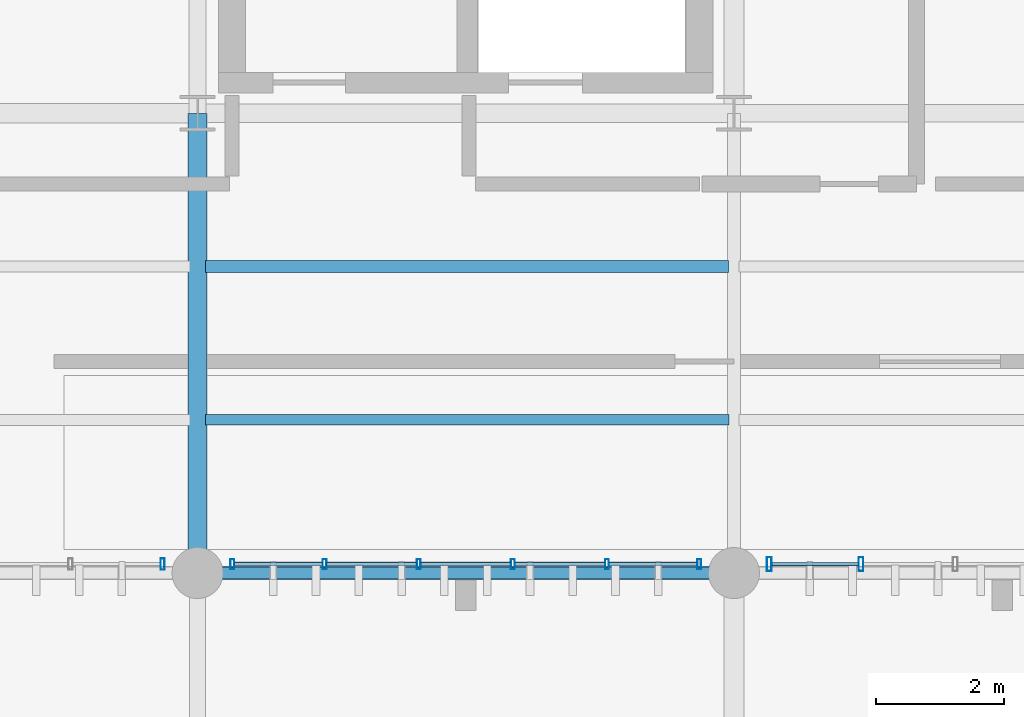
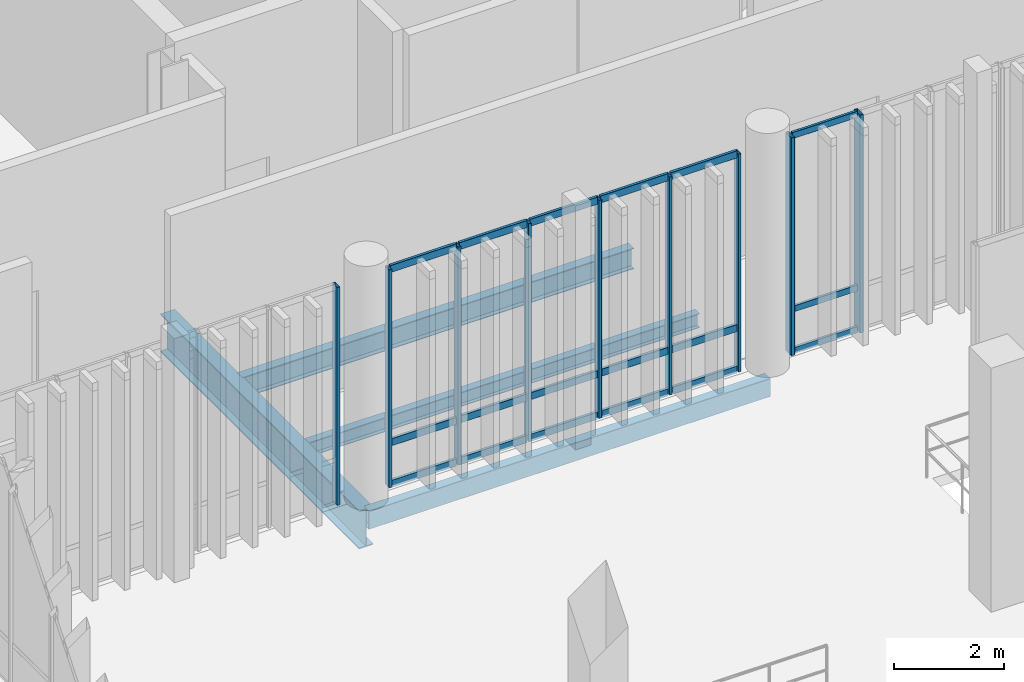
# One storey, part 39 of 128: 27 members, 4 beams, 3 elements without a shape of their own.
"""IFC4 building model written with IfcOpenShell, lengths in metres."""

from ifc_helpers import new_model, si_unit, direction, frame, origin_with_axes, origin_2d_with_axis, place, context, subcontext, project, spatial, hollow_rectangle, i_section, extrude, material, material_profile, profile_set, type_object, element, aggregate, save


model = new_model("IFC4")

# Units and contexts
model_context = context("Model", 3, precision=1e-05, world=origin_with_axes(), true_north=direction((0.0, 1.0)))
body_context = subcontext(model_context, "Body", "Model", "MODEL_VIEW")
ifc_project = project(units=[si_unit("LENGTHUNIT", "METRE"), si_unit("AREAUNIT", "SQUARE_METRE"), si_unit("VOLUMEUNIT", "CUBIC_METRE"), si_unit("PLANEANGLEUNIT", "RADIAN"), si_unit("MASSUNIT", "GRAM", prefix="KILO"), si_unit("THERMODYNAMICTEMPERATUREUNIT", "KELVIN")], contexts=[model_context])

# Site, building, storey
site_placement = place(None, origin_with_axes())
site = spatial("IfcSite", under=ifc_project, at=site_placement, CompositionType="ELEMENT")
building_placement = place(site_placement, origin_with_axes())
building = spatial("IfcBuilding", under=site, at=building_placement, Name="Montbau Bow Law Courts", CompositionType="ELEMENT")
storey_placement = place(building_placement, frame((0.0, 0.0, 5.4), z_axis=(0.0, 0.0, 1.0), x_axis=(1.0, 0.0, 0.0)))
storey = spatial("IfcBuildingStorey", under=building, at=storey_placement, Name="L01", CompositionType="ELEMENT", Elevation=5.4)

# Beams
ifc_material_1 = material(Name="Steel CSA G40.21 Grade 350W (350 MPa)", Category="steel")
ifc_material_profile_1 = material_profile(ifc_material_1, i_section(OverallWidth=0.293, OverallDepth=0.846, WebThickness=0.0154, FlangeThickness=0.0244, at=origin_2d_with_axis()), Name="W840X210", Category="Main", Priority=0)
ifc_profile_set_1 = profile_set([ifc_material_profile_1], Name="Steel CSA G40.21 Grade 350W (350 MPa)")
beam_type_1 = type_object("IfcBeamType", Name="B-FLR-02", PredefinedType="BEAM", material=ifc_profile_set_1)
beam_1_placement = place(None, frame((55.2, 39.0, 4.737), z_axis=(0.0, 1.0, 0.0), x_axis=(-1.0, 0.0, 0.0)))
element("IfcBeam", 1, at=beam_1_placement, inside=storey, type_object=beam_type_1, Name="BM-L01-S0823:bm2_0826", PredefinedType="BEAM", context=body_context, shape_type="SweptSolid", body=[
    extrude(i_section(OverallWidth=0.293, OverallDepth=0.846, WebThickness=0.0154, FlangeThickness=0.0244, at=origin_2d_with_axis()), origin_with_axes(), (0.0, 0.0, 1.0), 7.2),
])
ifc_material_profile_2 = material_profile(ifc_material_1, i_section(OverallWidth=0.191, OverallDepth=0.46, WebThickness=0.0099, FlangeThickness=0.016, at=origin_2d_with_axis()), Name="W460X82", Category="Main", Priority=0)
ifc_profile_set_2 = profile_set([ifc_material_profile_2], Name="Steel CSA G40.21 Grade 350W (350 MPa)")
beam_type_2 = type_object("IfcBeamType", Name="B-JST-01", PredefinedType="JOIST", material=ifc_profile_set_2)
beam_2_placement = place(None, frame((55.323, 43.8, 4.93), z_axis=(1.0, 0.0, 0.0), x_axis=(0.0, 1.0, 0.0)))
element("IfcBeam", 2, at=beam_2_placement, inside=storey, type_object=beam_type_2, Name="JST-L01-S0420:jst2_0420", PredefinedType="JOIST", context=body_context, shape_type="SweptSolid", body=[
    extrude(i_section(OverallWidth=0.191, OverallDepth=0.46, WebThickness=0.0099, FlangeThickness=0.016, at=origin_2d_with_axis()), origin_with_axes(), (0.0, 0.0, 1.0), 8.196),
])
ifc_material_profile_3 = material_profile(ifc_material_1, i_section(OverallWidth=0.166, OverallDepth=0.313, WebThickness=0.0066, FlangeThickness=0.0112, at=origin_2d_with_axis()), Name="W310X45", Category="Main", Priority=0)
ifc_profile_set_3 = profile_set([ifc_material_profile_3], Name="Steel CSA G40.21 Grade 350W (350 MPa)")
beam_type_3 = type_object("IfcBeamType", Name="B-JST-04", PredefinedType="JOIST", material=ifc_profile_set_3)
beam_3_placement = place(None, frame((55.323, 41.4, 5.003), z_axis=(1.0, 0.0, 0.0), x_axis=(0.0, 1.0, 0.0)))
element("IfcBeam", 3, at=beam_3_placement, inside=storey, type_object=beam_type_3, Name="JST-L01-S0419:jst2_0419", PredefinedType="JOIST", context=body_context, shape_type="SweptSolid", body=[
    extrude(i_section(OverallWidth=0.166, OverallDepth=0.313, WebThickness=0.0066, FlangeThickness=0.0112, at=origin_2d_with_axis()), origin_with_axes(), (0.0, 0.0, 1.0), 8.196),
])
ifc_material_2 = material(Name="Steel CSA G40.21 Grade 350WT (350 MPa)", Category="steel")
ifc_material_profile_4 = material_profile(ifc_material_2, hollow_rectangle(XDim=0.203, YDim=0.406, WallThickness=0.0127, InnerFilletRadius=0.0254, OuterFilletRadius=0.0127, at=origin_2d_with_axis()), Name="HSS406X203X13", Category="Main", Priority=0)
ifc_profile_set_4 = profile_set([ifc_material_profile_4], Name="Steel CSA G40.21 Grade 350WT (350 MPa)")
beam_type_4 = type_object("IfcBeamType", Name="B-SPN-01", PredefinedType="SPANDREL", material=ifc_profile_set_4)
beam_4_placement = place(None, frame((55.2, 39.0, 4.957), z_axis=(1.0, 0.0, 0.0), x_axis=(0.0, 1.0, 0.0)))
element("IfcBeam", 4, at=beam_4_placement, inside=storey, type_object=beam_type_4, Name="SPN-L01-S0799:bm2_0802", PredefinedType="SPANDREL", context=body_context, shape_type="SweptSolid", body=[
    extrude(hollow_rectangle(XDim=0.203, YDim=0.406, WallThickness=0.0127, InnerFilletRadius=0.0254, OuterFilletRadius=0.0127, at=origin_2d_with_axis()), origin_with_axes(), (0.0, 0.0, 1.0), 8.4),
])

# Curtain wall, members
ifc_material_3 = material(Name="Thermally Broken Extruded Aluminium AA 6063-T6", Category="aluminium")
curtain_wall_type = type_object("IfcCurtainWallType", Name="CW-CRM-01", PredefinedType="NOTDEFINED", material=ifc_material_3)
curtain_wall_1_placement = place(None, frame((64.115, 39.14, 5.4), z_axis=(0.0, 0.0, 1.0), x_axis=(1.0, 0.0, 0.0)))
curtain_wall_1 = element("IfcCurtainWall", 5, at=curtain_wall_1_placement, inside=storey, type_object=curtain_wall_type, Name="CW-L01-141:cw_0141", PredefinedType="NOTDEFINED")
ifc_material_profile_5 = material_profile(ifc_material_3, hollow_rectangle(XDim=0.075, YDim=0.22, WallThickness=0.005, InnerFilletRadius=0.01, OuterFilletRadius=0.005, at=origin_2d_with_axis()), Name="CWM-220X75", Category="Main", Priority=0)
ifc_profile_set_5 = profile_set([ifc_material_profile_5], Name="Thermally Broken Extruded Aluminium AA 6063-T6")
member_type_1 = type_object("IfcMemberType", Name="M-MUL-01", PredefinedType="MULLION", material=ifc_profile_set_5)
member_1_placement = place(None, frame((64.152, 39.14, 5.4), z_axis=(0.0, 0.0, 1.0), x_axis=(1.0, 0.0, 0.0)))
member_1 = element("IfcMember", 6, at=member_1_placement, type_object=member_type_1, Name="CW-L01-141-M01:cw_0141_M01", PredefinedType="MULLION", context=body_context, shape_type="SweptSolid", body=[
    extrude(hollow_rectangle(XDim=0.075, YDim=0.22, WallThickness=0.005, InnerFilletRadius=0.01, OuterFilletRadius=0.005, at=origin_2d_with_axis()), origin_with_axes(), (0.0, 0.0, 1.0), 4.82),
])
member_2_placement = place(None, frame((65.589, 39.14, 5.4), z_axis=(0.0, 0.0, 1.0), x_axis=(1.0, 0.0, 0.0)))
member_2 = element("IfcMember", 7, at=member_2_placement, type_object=member_type_1, Name="CW-L01-141-M02:cw_0141_M02", PredefinedType="MULLION", context=body_context, shape_type="SweptSolid", body=[
    extrude(hollow_rectangle(XDim=0.075, YDim=0.22, WallThickness=0.005, InnerFilletRadius=0.01, OuterFilletRadius=0.005, at=origin_2d_with_axis()), origin_with_axes(), (0.0, 0.0, 1.0), 4.82),
])

# Curtain wall, member
curtain_wall_2_placement = place(None, frame((47.315, 39.14, 5.4), z_axis=(0.0, 0.0, 1.0), x_axis=(1.0, 0.0, 0.0)))
curtain_wall_2 = element("IfcCurtainWall", 8, at=curtain_wall_2_placement, inside=storey, type_object=curtain_wall_type, Name="CW-L01-139:cw_0139", PredefinedType="NOTDEFINED")
ifc_material_profile_6 = material_profile(ifc_material_3, hollow_rectangle(XDim=0.065, YDim=0.18, WallThickness=0.005, InnerFilletRadius=0.01, OuterFilletRadius=0.005, at=origin_2d_with_axis()), Name="CWM-180X65", Category="Main", Priority=0)
ifc_profile_set_6 = profile_set([ifc_material_profile_6], Name="Thermally Broken Extruded Aluminium AA 6063-T6")
member_type_2 = type_object("IfcMemberType", Name="M-MUL-02", PredefinedType="MULLION", material=ifc_profile_set_6)
member_3_placement = place(None, frame((54.653, 39.14, 5.4), z_axis=(0.0, 0.0, 1.0), x_axis=(1.0, 0.0, 0.0)))
member_3 = element("IfcMember", 9, at=member_3_placement, type_object=member_type_2, Name="CW-L01-139-M06:cw_0139_M06", PredefinedType="MULLION", context=body_context, shape_type="SweptSolid", body=[
    extrude(hollow_rectangle(XDim=0.065, YDim=0.18, WallThickness=0.005, InnerFilletRadius=0.01, OuterFilletRadius=0.005, at=origin_2d_with_axis()), origin_with_axes(), (0.0, 0.0, 1.0), 4.82),
])
aggregate(curtain_wall_2, [member_3])

# Curtain wall, members
curtain_wall_3_placement = place(None, frame((55.715, 39.14, 5.4), z_axis=(0.0, 0.0, 1.0), x_axis=(1.0, 0.0, 0.0)))
curtain_wall_3 = element("IfcCurtainWall", 10, at=curtain_wall_3_placement, inside=storey, type_object=curtain_wall_type, Name="CW-L01-140:cw_0140", PredefinedType="NOTDEFINED")
ifc_material_profile_7 = material_profile(ifc_material_3, hollow_rectangle(XDim=0.06, YDim=0.16, WallThickness=0.004, InnerFilletRadius=0.008, OuterFilletRadius=0.004, at=origin_2d_with_axis()), Name="CWM-160X60", Category="Main", Priority=0)
ifc_profile_set_7 = profile_set([ifc_material_profile_7], Name="Thermally Broken Extruded Aluminium AA 6063-T6")
member_type_3 = type_object("IfcMemberType", Name="M-MUL-03", PredefinedType="MULLION", material=ifc_profile_set_7)
member_4_placement = place(None, frame((55.745, 39.14, 5.4), z_axis=(0.0, 0.0, 1.0), x_axis=(1.0, 0.0, 0.0)))
member_4 = element("IfcMember", 11, at=member_4_placement, type_object=member_type_3, Name="CW-L01-140-M01:cw_0140_M01", PredefinedType="MULLION", context=body_context, shape_type="SweptSolid", body=[
    extrude(hollow_rectangle(XDim=0.06, YDim=0.16, WallThickness=0.004, InnerFilletRadius=0.008, OuterFilletRadius=0.004, at=origin_2d_with_axis()), origin_with_axes(), (0.0, 0.0, 1.0), 4.82),
])
member_5_placement = place(None, frame((57.189, 39.14, 5.4), z_axis=(0.0, 0.0, 1.0), x_axis=(1.0, 0.0, 0.0)))
member_5 = element("IfcMember", 12, at=member_5_placement, type_object=member_type_3, Name="CW-L01-140-M02:cw_0140_M02", PredefinedType="MULLION", context=body_context, shape_type="SweptSolid", body=[
    extrude(hollow_rectangle(XDim=0.06, YDim=0.16, WallThickness=0.004, InnerFilletRadius=0.008, OuterFilletRadius=0.004, at=origin_2d_with_axis()), origin_with_axes(), (0.0, 0.0, 1.0), 4.82),
])
member_6_placement = place(None, frame((58.663, 39.14, 5.4), z_axis=(0.0, 0.0, 1.0), x_axis=(1.0, 0.0, 0.0)))
member_6 = element("IfcMember", 13, at=member_6_placement, type_object=member_type_3, Name="CW-L01-140-M03:cw_0140_M03", PredefinedType="MULLION", context=body_context, shape_type="SweptSolid", body=[
    extrude(hollow_rectangle(XDim=0.06, YDim=0.16, WallThickness=0.004, InnerFilletRadius=0.008, OuterFilletRadius=0.004, at=origin_2d_with_axis()), origin_with_axes(), (0.0, 0.0, 1.0), 4.82),
])
member_7_placement = place(None, frame((60.137, 39.14, 5.4), z_axis=(0.0, 0.0, 1.0), x_axis=(1.0, 0.0, 0.0)))
member_7 = element("IfcMember", 14, at=member_7_placement, type_object=member_type_3, Name="CW-L01-140-M04:cw_0140_M04", PredefinedType="MULLION", context=body_context, shape_type="SweptSolid", body=[
    extrude(hollow_rectangle(XDim=0.06, YDim=0.16, WallThickness=0.004, InnerFilletRadius=0.008, OuterFilletRadius=0.004, at=origin_2d_with_axis()), origin_with_axes(), (0.0, 0.0, 1.0), 4.82),
])
member_8_placement = place(None, frame((61.611, 39.14, 5.4), z_axis=(0.0, 0.0, 1.0), x_axis=(1.0, 0.0, 0.0)))
member_8 = element("IfcMember", 15, at=member_8_placement, type_object=member_type_3, Name="CW-L01-140-M05:cw_0140_M05", PredefinedType="MULLION", context=body_context, shape_type="SweptSolid", body=[
    extrude(hollow_rectangle(XDim=0.06, YDim=0.16, WallThickness=0.004, InnerFilletRadius=0.008, OuterFilletRadius=0.004, at=origin_2d_with_axis()), origin_with_axes(), (0.0, 0.0, 1.0), 4.82),
])
member_9_placement = place(None, frame((63.055, 39.14, 5.4), z_axis=(0.0, 0.0, 1.0), x_axis=(1.0, 0.0, 0.0)))
member_9 = element("IfcMember", 16, at=member_9_placement, type_object=member_type_3, Name="CW-L01-140-M06:cw_0140_M06", PredefinedType="MULLION", context=body_context, shape_type="SweptSolid", body=[
    extrude(hollow_rectangle(XDim=0.06, YDim=0.16, WallThickness=0.004, InnerFilletRadius=0.008, OuterFilletRadius=0.004, at=origin_2d_with_axis()), origin_with_axes(), (0.0, 0.0, 1.0), 4.82),
])
ifc_material_profile_8 = material_profile(ifc_material_3, hollow_rectangle(XDim=0.06, YDim=0.16, WallThickness=0.004, InnerFilletRadius=0.008, OuterFilletRadius=0.004, at=origin_2d_with_axis()), Name="CWT-160X60", Category="Main", Priority=0)
ifc_profile_set_8 = profile_set([ifc_material_profile_8], Name="Thermally Broken Extruded Aluminium AA 6063-T6")
member_type_4 = type_object("IfcMemberType", Name="M-TRN-01", PredefinedType="USERDEFINED", material=ifc_profile_set_8)
member_10_placement = place(None, frame((55.777, 39.14, 5.43), z_axis=(1.0, 0.0, 0.0), x_axis=(0.0, 1.0, 0.0)))
member_10 = element("IfcMember", 17, at=member_10_placement, type_object=member_type_4, Name="CW-L01-140-T01-1:cw_0140_T01_1", ObjectType="TRANSOM", PredefinedType="USERDEFINED", context=body_context, shape_type="SweptSolid", body=[
    extrude(hollow_rectangle(XDim=0.06, YDim=0.16, WallThickness=0.004, InnerFilletRadius=0.008, OuterFilletRadius=0.004, at=origin_2d_with_axis()), origin_with_axes(), (0.0, 0.0, 1.0), 1.38),
])
member_11_placement = place(None, frame((55.777, 39.14, 6.35), z_axis=(1.0, 0.0, 0.0), x_axis=(0.0, 1.0, 0.0)))
member_11 = element("IfcMember", 18, at=member_11_placement, type_object=member_type_4, Name="CW-L01-140-T01-2:cw_0140_T01_2", ObjectType="TRANSOM", PredefinedType="USERDEFINED", context=body_context, shape_type="SweptSolid", body=[
    extrude(hollow_rectangle(XDim=0.06, YDim=0.16, WallThickness=0.004, InnerFilletRadius=0.008, OuterFilletRadius=0.004, at=origin_2d_with_axis()), origin_with_axes(), (0.0, 0.0, 1.0), 1.38),
])
member_12_placement = place(None, frame((55.777, 39.14, 10.19), z_axis=(1.0, 0.0, 0.0), x_axis=(0.0, 1.0, 0.0)))
member_12 = element("IfcMember", 19, at=member_12_placement, type_object=member_type_4, Name="CW-L01-140-T01-3:cw_0140_T01_3", ObjectType="TRANSOM", PredefinedType="USERDEFINED", context=body_context, shape_type="SweptSolid", body=[
    extrude(hollow_rectangle(XDim=0.06, YDim=0.16, WallThickness=0.004, InnerFilletRadius=0.008, OuterFilletRadius=0.004, at=origin_2d_with_axis()), origin_with_axes(), (0.0, 0.0, 1.0), 1.38),
])
member_13_placement = place(None, frame((57.221, 39.14, 5.43), z_axis=(1.0, 0.0, 0.0), x_axis=(0.0, 1.0, 0.0)))
member_13 = element("IfcMember", 20, at=member_13_placement, type_object=member_type_4, Name="CW-L01-140-T02-1:cw_0140_T02_1", ObjectType="TRANSOM", PredefinedType="USERDEFINED", context=body_context, shape_type="SweptSolid", body=[
    extrude(hollow_rectangle(XDim=0.06, YDim=0.16, WallThickness=0.004, InnerFilletRadius=0.008, OuterFilletRadius=0.004, at=origin_2d_with_axis()), origin_with_axes(), (0.0, 0.0, 1.0), 1.41),
])
member_14_placement = place(None, frame((57.221, 39.14, 6.35), z_axis=(1.0, 0.0, 0.0), x_axis=(0.0, 1.0, 0.0)))
member_14 = element("IfcMember", 21, at=member_14_placement, type_object=member_type_4, Name="CW-L01-140-T02-2:cw_0140_T02_2", ObjectType="TRANSOM", PredefinedType="USERDEFINED", context=body_context, shape_type="SweptSolid", body=[
    extrude(hollow_rectangle(XDim=0.06, YDim=0.16, WallThickness=0.004, InnerFilletRadius=0.008, OuterFilletRadius=0.004, at=origin_2d_with_axis()), origin_with_axes(), (0.0, 0.0, 1.0), 1.41),
])
member_15_placement = place(None, frame((57.221, 39.14, 10.19), z_axis=(1.0, 0.0, 0.0), x_axis=(0.0, 1.0, 0.0)))
member_15 = element("IfcMember", 22, at=member_15_placement, type_object=member_type_4, Name="CW-L01-140-T02-3:cw_0140_T02_3", ObjectType="TRANSOM", PredefinedType="USERDEFINED", context=body_context, shape_type="SweptSolid", body=[
    extrude(hollow_rectangle(XDim=0.06, YDim=0.16, WallThickness=0.004, InnerFilletRadius=0.008, OuterFilletRadius=0.004, at=origin_2d_with_axis()), origin_with_axes(), (0.0, 0.0, 1.0), 1.41),
])
member_16_placement = place(None, frame((58.695, 39.14, 5.43), z_axis=(1.0, 0.0, 0.0), x_axis=(0.0, 1.0, 0.0)))
member_16 = element("IfcMember", 23, at=member_16_placement, type_object=member_type_4, Name="CW-L01-140-T03-1:cw_0140_T03_1", ObjectType="TRANSOM", PredefinedType="USERDEFINED", context=body_context, shape_type="SweptSolid", body=[
    extrude(hollow_rectangle(XDim=0.06, YDim=0.16, WallThickness=0.004, InnerFilletRadius=0.008, OuterFilletRadius=0.004, at=origin_2d_with_axis()), origin_with_axes(), (0.0, 0.0, 1.0), 1.41),
])
member_17_placement = place(None, frame((58.695, 39.14, 6.35), z_axis=(1.0, 0.0, 0.0), x_axis=(0.0, 1.0, 0.0)))
member_17 = element("IfcMember", 24, at=member_17_placement, type_object=member_type_4, Name="CW-L01-140-T03-2:cw_0140_T03_2", ObjectType="TRANSOM", PredefinedType="USERDEFINED", context=body_context, shape_type="SweptSolid", body=[
    extrude(hollow_rectangle(XDim=0.06, YDim=0.16, WallThickness=0.004, InnerFilletRadius=0.008, OuterFilletRadius=0.004, at=origin_2d_with_axis()), origin_with_axes(), (0.0, 0.0, 1.0), 1.41),
])
member_18_placement = place(None, frame((58.695, 39.14, 10.19), z_axis=(1.0, 0.0, 0.0), x_axis=(0.0, 1.0, 0.0)))
member_18 = element("IfcMember", 25, at=member_18_placement, type_object=member_type_4, Name="CW-L01-140-T03-3:cw_0140_T03_3", ObjectType="TRANSOM", PredefinedType="USERDEFINED", context=body_context, shape_type="SweptSolid", body=[
    extrude(hollow_rectangle(XDim=0.06, YDim=0.16, WallThickness=0.004, InnerFilletRadius=0.008, OuterFilletRadius=0.004, at=origin_2d_with_axis()), origin_with_axes(), (0.0, 0.0, 1.0), 1.41),
])
member_19_placement = place(None, frame((60.169, 39.14, 5.43), z_axis=(1.0, 0.0, 0.0), x_axis=(0.0, 1.0, 0.0)))
member_19 = element("IfcMember", 26, at=member_19_placement, type_object=member_type_4, Name="CW-L01-140-T04-1:cw_0140_T04_1", ObjectType="TRANSOM", PredefinedType="USERDEFINED", context=body_context, shape_type="SweptSolid", body=[
    extrude(hollow_rectangle(XDim=0.06, YDim=0.16, WallThickness=0.004, InnerFilletRadius=0.008, OuterFilletRadius=0.004, at=origin_2d_with_axis()), origin_with_axes(), (0.0, 0.0, 1.0), 1.41),
])
member_20_placement = place(None, frame((60.169, 39.14, 6.35), z_axis=(1.0, 0.0, 0.0), x_axis=(0.0, 1.0, 0.0)))
member_20 = element("IfcMember", 27, at=member_20_placement, type_object=member_type_4, Name="CW-L01-140-T04-2:cw_0140_T04_2", ObjectType="TRANSOM", PredefinedType="USERDEFINED", context=body_context, shape_type="SweptSolid", body=[
    extrude(hollow_rectangle(XDim=0.06, YDim=0.16, WallThickness=0.004, InnerFilletRadius=0.008, OuterFilletRadius=0.004, at=origin_2d_with_axis()), origin_with_axes(), (0.0, 0.0, 1.0), 1.41),
])
member_21_placement = place(None, frame((60.169, 39.14, 10.19), z_axis=(1.0, 0.0, 0.0), x_axis=(0.0, 1.0, 0.0)))
member_21 = element("IfcMember", 28, at=member_21_placement, type_object=member_type_4, Name="CW-L01-140-T04-3:cw_0140_T04_3", ObjectType="TRANSOM", PredefinedType="USERDEFINED", context=body_context, shape_type="SweptSolid", body=[
    extrude(hollow_rectangle(XDim=0.06, YDim=0.16, WallThickness=0.004, InnerFilletRadius=0.008, OuterFilletRadius=0.004, at=origin_2d_with_axis()), origin_with_axes(), (0.0, 0.0, 1.0), 1.41),
])
member_22_placement = place(None, frame((61.643, 39.14, 5.43), z_axis=(1.0, 0.0, 0.0), x_axis=(0.0, 1.0, 0.0)))
member_22 = element("IfcMember", 29, at=member_22_placement, type_object=member_type_4, Name="CW-L01-140-T05-1:cw_0140_T05_1", ObjectType="TRANSOM", PredefinedType="USERDEFINED", context=body_context, shape_type="SweptSolid", body=[
    extrude(hollow_rectangle(XDim=0.06, YDim=0.16, WallThickness=0.004, InnerFilletRadius=0.008, OuterFilletRadius=0.004, at=origin_2d_with_axis()), origin_with_axes(), (0.0, 0.0, 1.0), 1.38),
])
member_23_placement = place(None, frame((61.643, 39.14, 6.35), z_axis=(1.0, 0.0, 0.0), x_axis=(0.0, 1.0, 0.0)))
member_23 = element("IfcMember", 30, at=member_23_placement, type_object=member_type_4, Name="CW-L01-140-T05-2:cw_0140_T05_2", ObjectType="TRANSOM", PredefinedType="USERDEFINED", context=body_context, shape_type="SweptSolid", body=[
    extrude(hollow_rectangle(XDim=0.06, YDim=0.16, WallThickness=0.004, InnerFilletRadius=0.008, OuterFilletRadius=0.004, at=origin_2d_with_axis()), origin_with_axes(), (0.0, 0.0, 1.0), 1.38),
])
member_24_placement = place(None, frame((61.643, 39.14, 10.19), z_axis=(1.0, 0.0, 0.0), x_axis=(0.0, 1.0, 0.0)))
member_24 = element("IfcMember", 31, at=member_24_placement, type_object=member_type_4, Name="CW-L01-140-T05-3:cw_0140_T05_3", ObjectType="TRANSOM", PredefinedType="USERDEFINED", context=body_context, shape_type="SweptSolid", body=[
    extrude(hollow_rectangle(XDim=0.06, YDim=0.16, WallThickness=0.004, InnerFilletRadius=0.008, OuterFilletRadius=0.004, at=origin_2d_with_axis()), origin_with_axes(), (0.0, 0.0, 1.0), 1.38),
])
aggregate(curtain_wall_3, [member_4, member_5, member_6, member_7, member_8, member_9, member_10, member_11, member_12, member_13, member_14, member_15, member_16, member_17, member_18, member_19, member_20, member_21, member_22, member_23, member_24])

# Member
ifc_material_profile_9 = material_profile(ifc_material_3, hollow_rectangle(XDim=0.055, YDim=0.14, WallThickness=0.004, InnerFilletRadius=0.008, OuterFilletRadius=0.004, at=origin_2d_with_axis()), Name="CWT-140X55", Category="Main", Priority=0)
ifc_profile_set_9 = profile_set([ifc_material_profile_9], Name="Thermally Broken Extruded Aluminium AA 6063-T6")
member_type_5 = type_object("IfcMemberType", Name="M-TRN-02", PredefinedType="USERDEFINED", material=ifc_profile_set_9)
member_25_placement = place(None, frame((64.191, 39.14, 5.428), z_axis=(1.0, 0.0, 0.0), x_axis=(0.0, 1.0, 0.0)))
member_25 = element("IfcMember", 32, at=member_25_placement, type_object=member_type_5, Name="CW-L01-141-T01-1:cw_0141_T01_1", ObjectType="TRANSOM", PredefinedType="USERDEFINED", context=body_context, shape_type="SweptSolid", body=[
    extrude(hollow_rectangle(XDim=0.055, YDim=0.14, WallThickness=0.004, InnerFilletRadius=0.008, OuterFilletRadius=0.004, at=origin_2d_with_axis()), origin_with_axes(), (0.0, 0.0, 1.0), 1.358),
])

member_26_placement = place(None, frame((64.191, 39.14, 6.35), z_axis=(1.0, 0.0, 0.0), x_axis=(0.0, 1.0, 0.0)))
member_26 = element("IfcMember", 33, at=member_26_placement, type_object=member_type_5, Name="CW-L01-141-T01-2:cw_0141_T01_2", ObjectType="TRANSOM", PredefinedType="USERDEFINED", context=body_context, shape_type="SweptSolid", body=[
    extrude(hollow_rectangle(XDim=0.055, YDim=0.14, WallThickness=0.004, InnerFilletRadius=0.008, OuterFilletRadius=0.004, at=origin_2d_with_axis()), origin_with_axes(), (0.0, 0.0, 1.0), 1.358),
])

member_27_placement = place(None, frame((64.191, 39.14, 10.193), z_axis=(1.0, 0.0, 0.0), x_axis=(0.0, 1.0, 0.0)))
member_27 = element("IfcMember", 34, at=member_27_placement, type_object=member_type_5, Name="CW-L01-141-T01-3:cw_0141_T01_3", ObjectType="TRANSOM", PredefinedType="USERDEFINED", context=body_context, shape_type="SweptSolid", body=[
    extrude(hollow_rectangle(XDim=0.055, YDim=0.14, WallThickness=0.004, InnerFilletRadius=0.008, OuterFilletRadius=0.004, at=origin_2d_with_axis()), origin_with_axes(), (0.0, 0.0, 1.0), 1.358),
])

aggregate(curtain_wall_1, [member_1, member_2, member_25, member_26, member_27])

save(model, "model.ifc")
